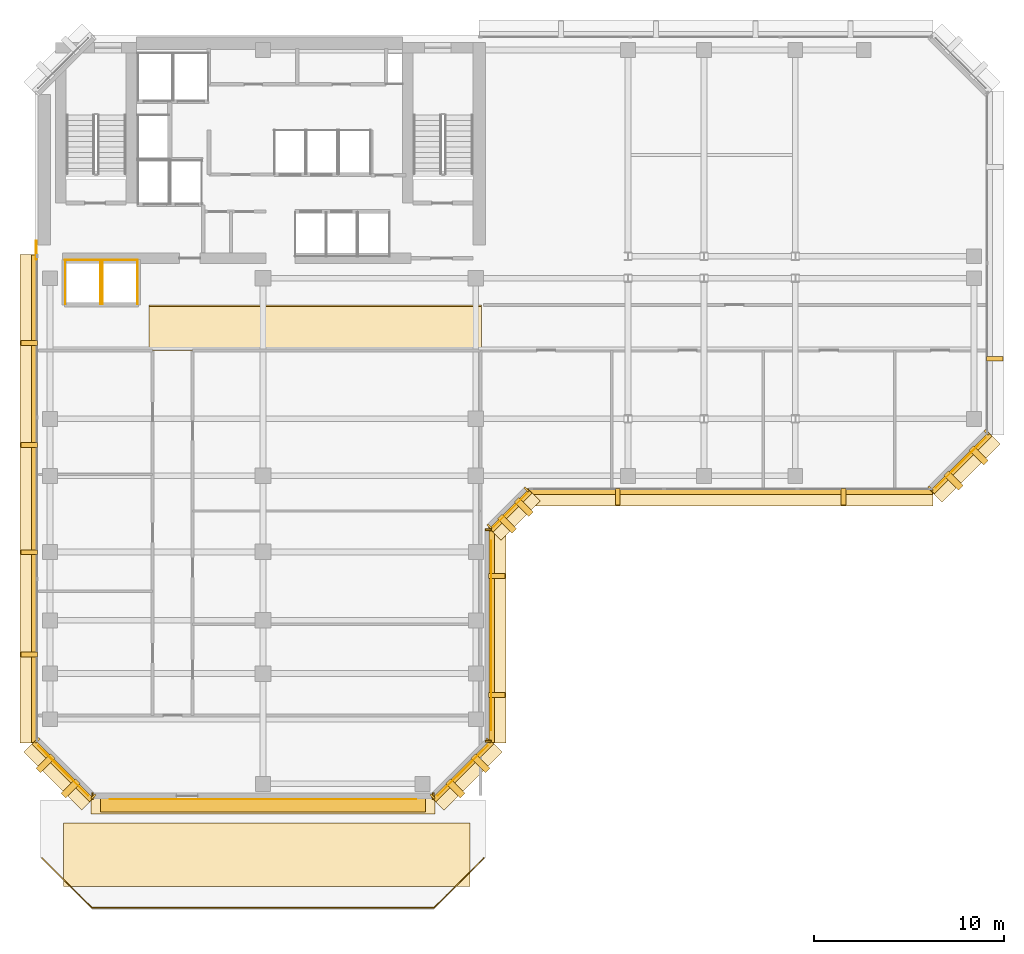
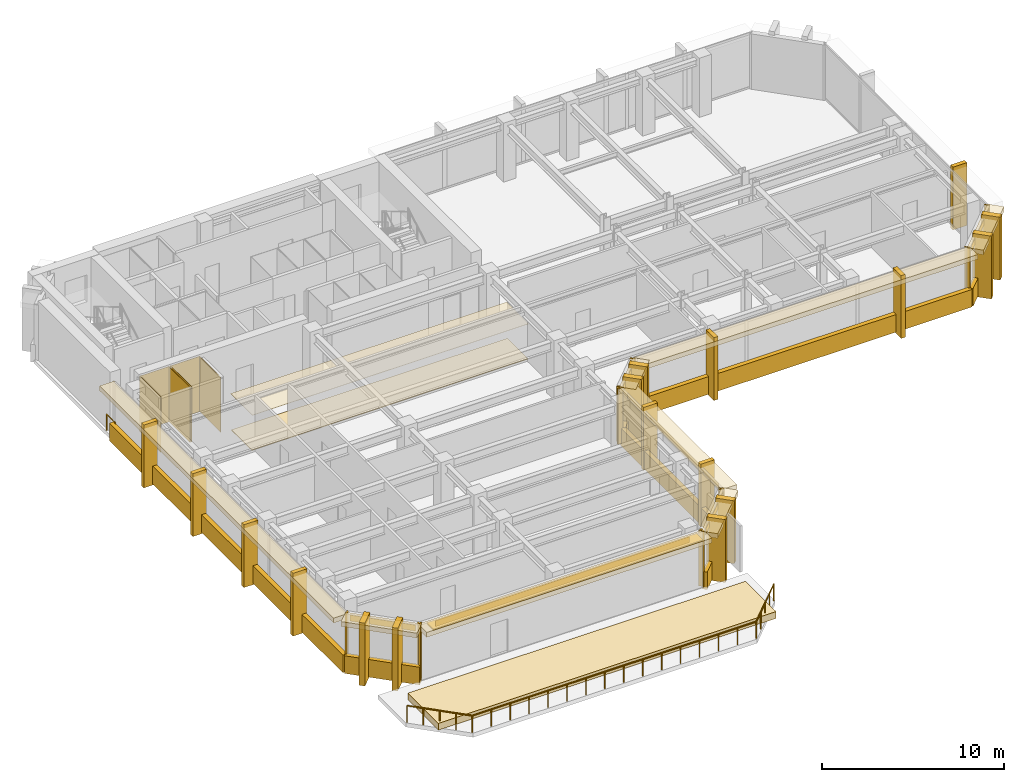
# One storey, part 9 of 11: 59 coverings, 2 railings, 1 shading device.
"""IFC4 building model written with IfcOpenShell, lengths in metres."""

from ifc_helpers import new_model, si_unit, direction, frame, origin, origin_2d, place, context, subcontext, project, spatial, polyline, rectangle, circle, outline, extrude, material, layer, layer_set, type_object, element, save


model = new_model("IFC4")

# Units and contexts
model_context = context("Model", 3, precision=1e-05, world=origin(), true_north=direction((0.0, 1.0)))
body_context = subcontext(model_context, "Body", "Model", "MODEL_VIEW")
ifc_project = project(units=[si_unit("LENGTHUNIT", "METRE"), si_unit("AREAUNIT", "SQUARE_METRE"), si_unit("VOLUMEUNIT", "CUBIC_METRE"), si_unit("PLANEANGLEUNIT", "RADIAN"), si_unit("MASSUNIT", "GRAM", prefix="KILO")], contexts=[model_context])

# Site, building, storey
site_placement = place(None, origin())
site = spatial("IfcSite", under=ifc_project, at=site_placement, CompositionType="ELEMENT")
building_placement = place(site_placement, origin())
building = spatial("IfcBuilding", under=site, at=building_placement, Name="Kefirva Bronze Tower", CompositionType="ELEMENT")
storey_placement = place(building_placement, frame((0.0, 0.0, 191.39990234375)))
storey = spatial("IfcBuildingStorey", under=building, at=storey_placement, Name="L46", CompositionType="ELEMENT", Elevation=191.39990234375)

# Coverings
ifc_material_1 = material(Name="Acoustic mineral tile")
ifc_layer_1 = layer(ifc_material_1, 0.02490234375, Name="Acoustic mineral tile")
ifc_layer_set_1 = layer_set([ifc_layer_1], Name="Acoustic mineral tile")
covering_type_1 = type_object("IfcCoveringType", Name="Acoustic Mineral Suspended Ceiling 25mm", PredefinedType="CEILING", material=ifc_layer_set_1)
covering_1_placement = place(storey_placement, frame((0.0, 0.0, 2.400146484375)))
element("IfcCovering", 1, at=covering_1_placement, inside=storey, type_object=covering_type_1, Name="L46 Corridor Acoustic Ceiling", PredefinedType="CEILING", context=body_context, shape_type="SweptSolid", body=[
    extrude(outline(polyline([(6.0, 29.39990234375), (23.5, 29.39990234375), (23.5, 31.800048828125), (6.0, 31.800048828125), (6.0, 29.39990234375)])), origin(), (0.0, 0.0, 1.0), 0.02490234375),
])
ifc_material_2 = material(Name="Bronze anodised aluminium", Category="aluminium")
ifc_layer_2 = layer(ifc_material_2, 0.02001953125, Name="Bronze anodised aluminium")
ifc_layer_set_2 = layer_set([ifc_layer_2], Name="Bronze anodised aluminium")
covering_type_2 = type_object("IfcCoveringType", Name="Anodised Bronze Spandrel Cladding 20mm", PredefinedType="CLADDING", material=ifc_layer_set_2)
covering_2_placement = place(storey_placement, frame((12.0, 5.7900390625, 3.2900390625), z_axis=(0.0, 0.0, 1.0), x_axis=(1.0, 0.0, 0.0)))
element("IfcCovering", 2, at=covering_2_placement, inside=storey, type_object=covering_type_2, Name="L46 Bronze Spandrel Cladding 1", PredefinedType="CLADDING", context=body_context, shape_type="SweptSolid", body=[
    extrude(rectangle(XDim=16.10107421875, YDim=0.02001953125, at=origin_2d()), origin(), (0.0, 0.0, 1.0), 0.39990234375),
])
for number, where, z_axis, x_axis, name in (
    (3, (3.034912109375, 5.9599609375, 0.0), (0.0, 0.0, 1.0), (1.0, 0.0, 0.0), "L46 Facade Joint Closure Panel 1S"),
    (4, (20.965087890625, 5.9599609375, 0.0), (0.0, 0.0, 1.0), (1.0, 0.0, 0.0), "L46 Facade Joint Closure Panel 1E"),
):
    element("IfcCovering", number, at=place(storey_placement, frame(where, z_axis=z_axis, x_axis=x_axis)), inside=storey, type_object=covering_type_2, Name=name, PredefinedType="CLADDING", context=body_context, shape_type="SweptSolid", body=[
        extrude(rectangle(XDim=0.10009765625, YDim=0.320068359375, at=origin_2d()), origin(), (0.0, 0.0, 1.0), 3.7099609375),
    ])
covering_3_placement = place(storey_placement, frame((22.507080078125, 7.29296875, 3.2900390625), z_axis=(0.0, 0.0, 1.0), x_axis=(0.707106781187, 0.707106781187, 0.0)))
element("IfcCovering", 5, at=covering_3_placement, inside=storey, type_object=covering_type_2, Name="L46 Bronze Spandrel Cladding 2", PredefinedType="CLADDING", context=body_context, shape_type="SweptSolid", body=[
    extrude(rectangle(XDim=3.719482421875, YDim=0.02001953125, at=origin_2d()), origin(), (0.0, 0.0, 1.0), 0.39990234375),
])
for number, where, z_axis, x_axis, name in (
    (6, (20.91162109375, 5.93798828125, 0.0), (0.0, 0.0, 1.0), (0.707106781187, 0.707106781187, 0.0), "L46 Facade Joint Closure Panel 2S"),
    (7, (23.862060546875, 8.88818359375, 0.0), (0.0, 0.0, 1.0), (0.707106781187, 0.707106781187, 0.0), "L46 Facade Joint Closure Panel 2E"),
):
    element("IfcCovering", number, at=place(storey_placement, frame(where, z_axis=z_axis, x_axis=x_axis)), inside=storey, type_object=covering_type_2, Name=name, PredefinedType="CLADDING", context=body_context, shape_type="SweptSolid", body=[
        extrude(rectangle(XDim=0.10009765625, YDim=0.320068359375, at=origin_2d()), origin(), (0.0, 0.0, 1.0), 3.7099609375),
    ])
covering_4_placement = place(storey_placement, frame((22.5283203125, 7.271728515625, -0.15966796875), z_axis=(0.0, 0.0, 1.0), x_axis=(0.707106781187, 0.707106781187, 0.0)))
element("IfcCovering", 8, at=covering_4_placement, inside=storey, type_object=covering_type_2, Name="L46 Streamline Horizontal Spandrel Band 1", PredefinedType="CLADDING", context=body_context, shape_type="SweptSolid", body=[
    extrude(rectangle(XDim=4.28271484375, YDim=0.280029296875, at=origin_2d()), origin(), (0.0, 0.0, 1.0), 1.179931640625),
])
covering_5_placement = place(storey_placement, frame((24.010009765625, 14.39990234375, 3.2900390625), z_axis=(0.0, 0.0, 1.0), x_axis=(0.0, 1.0, 0.0)))
element("IfcCovering", 9, at=covering_5_placement, inside=storey, type_object=covering_type_2, Name="L46 Bronze Spandrel Cladding 3", PredefinedType="CLADDING", context=body_context, shape_type="SweptSolid", body=[
    extrude(rectangle(XDim=9.98095703125, YDim=0.02001953125, at=origin_2d()), origin(), (0.0, 0.0, 1.0), 0.39990234375),
])
for number, where, z_axis, x_axis, name in (
    (10, (23.840087890625, 8.8349609375, 0.0), (0.0, 0.0, 1.0), (0.0, 1.0, 0.0), "L46 Facade Joint Closure Panel 3S"),
    (11, (23.840087890625, 19.965087890625, 0.0), (0.0, 0.0, 1.0), (0.0, 1.0, 0.0), "L46 Facade Joint Closure Panel 3E"),
):
    element("IfcCovering", number, at=place(storey_placement, frame(where, z_axis=z_axis, x_axis=x_axis)), inside=storey, type_object=covering_type_2, Name=name, PredefinedType="CLADDING", context=body_context, shape_type="SweptSolid", body=[
        extrude(rectangle(XDim=0.10009765625, YDim=0.320068359375, at=origin_2d()), origin(), (0.0, 0.0, 1.0), 3.7099609375),
    ])
covering_6_placement = place(storey_placement, frame((24.0400390625, 14.39990234375, -0.15966796875), z_axis=(0.0, 0.0, 1.0), x_axis=(0.0, 1.0, 0.0)))
element("IfcCovering", 12, at=covering_6_placement, inside=storey, type_object=covering_type_2, Name="L46 Streamline Horizontal Spandrel Band 2", PredefinedType="CLADDING", context=body_context, shape_type="SweptSolid", body=[
    extrude(rectangle(XDim=11.239990234375, YDim=0.280029296875, at=origin_2d()), origin(), (0.0, 0.0, 1.0), 1.179931640625),
])
covering_7_placement = place(storey_placement, frame((25.007080078125, 20.992919921875, 3.2900390625), z_axis=(0.0, 0.0, 1.0), x_axis=(0.707106781187, 0.707106781187, 0.0)))
element("IfcCovering", 13, at=covering_7_placement, inside=storey, type_object=covering_type_2, Name="L46 Bronze Spandrel Cladding 4", PredefinedType="CLADDING", context=body_context, shape_type="SweptSolid", body=[
    extrude(rectangle(XDim=2.446533203125, YDim=0.02001953125, at=origin_2d()), origin(), (0.0, 0.0, 1.0), 0.39990234375),
])
for number, where, z_axis, x_axis, name in (
    (14, (23.91162109375, 20.137939453125, 0.0), (0.0, 0.0, 1.0), (0.707106781187, 0.707106781187, 0.0), "L46 Facade Joint Closure Panel 4S"),
    (15, (25.862060546875, 22.08837890625, 0.0), (0.0, 0.0, 1.0), (0.707106781187, 0.707106781187, 0.0), "L46 Facade Joint Closure Panel 4E"),
):
    element("IfcCovering", number, at=place(storey_placement, frame(where, z_axis=z_axis, x_axis=x_axis)), inside=storey, type_object=covering_type_2, Name=name, PredefinedType="CLADDING", context=body_context, shape_type="SweptSolid", body=[
        extrude(rectangle(XDim=0.10009765625, YDim=0.320068359375, at=origin_2d()), origin(), (0.0, 0.0, 1.0), 3.7099609375),
    ])
covering_8_placement = place(storey_placement, frame((25.0283203125, 20.9716796875, -0.15966796875), z_axis=(0.0, 0.0, 1.0), x_axis=(0.707106781187, 0.707106781187, 0.0)))
element("IfcCovering", 16, at=covering_8_placement, inside=storey, type_object=covering_type_2, Name="L46 Streamline Horizontal Spandrel Band 3", PredefinedType="CLADDING", context=body_context, shape_type="SweptSolid", body=[
    extrude(rectangle(XDim=2.868408203125, YDim=0.280029296875, at=origin_2d()), origin(), (0.0, 0.0, 1.0), 1.179931640625),
])
covering_9_placement = place(storey_placement, frame((36.60009765625, 21.9599609375, -0.15966796875), z_axis=(0.0, 0.0, 1.0), x_axis=(1.0, 0.0, 0.0)))
element("IfcCovering", 17, at=covering_9_placement, inside=storey, type_object=covering_type_2, Name="L46 Streamline Horizontal Spandrel Band 4", PredefinedType="CLADDING", context=body_context, shape_type="SweptSolid", body=[
    extrude(rectangle(XDim=21.239990234375, YDim=0.280029296875, at=origin_2d()), origin(), (0.0, 0.0, 1.0), 1.179931640625),
])
covering_10_placement = place(storey_placement, frame((48.70703125, 23.492919921875, 3.2900390625), z_axis=(0.0, 0.0, 1.0), x_axis=(0.707106781187, 0.707106781187, 0.0)))
element("IfcCovering", 18, at=covering_10_placement, inside=storey, type_object=covering_type_2, Name="L46 Bronze Spandrel Cladding 5", PredefinedType="CLADDING", context=body_context, shape_type="SweptSolid", body=[
    extrude(rectangle(XDim=3.719482421875, YDim=0.02001953125, at=origin_2d()), origin(), (0.0, 0.0, 1.0), 0.39990234375),
])
for number, where, z_axis, x_axis, name in (
    (19, (47.11181640625, 22.137939453125, 0.0), (0.0, 0.0, 1.0), (0.707106781187, 0.707106781187, 0.0), "L46 Facade Joint Closure Panel 5S"),
    (20, (50.06201171875, 25.08837890625, 0.0), (0.0, 0.0, 1.0), (0.707106781187, 0.707106781187, 0.0), "L46 Facade Joint Closure Panel 5E"),
):
    element("IfcCovering", number, at=place(storey_placement, frame(where, z_axis=z_axis, x_axis=x_axis)), inside=storey, type_object=covering_type_2, Name=name, PredefinedType="CLADDING", context=body_context, shape_type="SweptSolid", body=[
        extrude(rectangle(XDim=0.10009765625, YDim=0.320068359375, at=origin_2d()), origin(), (0.0, 0.0, 1.0), 3.7099609375),
    ])
covering_11_placement = place(storey_placement, frame((48.728271484375, 23.4716796875, -0.15966796875), z_axis=(0.0, 0.0, 1.0), x_axis=(0.707106781187, 0.707106781187, 0.0)))
element("IfcCovering", 21, at=covering_11_placement, inside=storey, type_object=covering_type_2, Name="L46 Streamline Horizontal Spandrel Band 5", PredefinedType="CLADDING", context=body_context, shape_type="SweptSolid", body=[
    extrude(rectangle(XDim=4.28271484375, YDim=0.280029296875, at=origin_2d()), origin(), (0.0, 0.0, 1.0), 1.179931640625),
])
covering_12_placement = place(storey_placement, frame((-0.0400390625, 21.597412109375, -0.15966796875), z_axis=(0.0, 0.0, 1.0), x_axis=(0.0, -1.0, 0.0)))
element("IfcCovering", 22, at=covering_12_placement, inside=storey, type_object=covering_type_2, Name="L46 Streamline Horizontal Spandrel Band 10", PredefinedType="CLADDING", context=body_context, shape_type="SweptSolid", body=[
    extrude(rectangle(XDim=25.635009765625, YDim=0.280029296875, at=origin_2d()), origin(), (0.0, 0.0, 1.0), 1.179931640625),
])
covering_13_placement = place(storey_placement, frame((1.492919921875, 7.29296875, 3.2900390625), z_axis=(0.0, 0.0, 1.0), x_axis=(0.707106781187, -0.707106781187, 0.0)))
element("IfcCovering", 23, at=covering_13_placement, inside=storey, type_object=covering_type_2, Name="L46 Bronze Spandrel Cladding 8", PredefinedType="CLADDING", context=body_context, shape_type="SweptSolid", body=[
    extrude(rectangle(XDim=3.719482421875, YDim=0.02001953125, at=origin_2d()), origin(), (0.0, 0.0, 1.0), 0.39990234375),
])
for number, where, z_axis, x_axis, name in (
    (24, (0.137939453125, 8.88818359375, 0.0), (0.0, 0.0, 1.0), (0.707106781187, -0.707106781187, 0.0), "L46 Facade Joint Closure Panel 8S"),
    (25, (3.08837890625, 5.93798828125, 0.0), (0.0, 0.0, 1.0), (0.707106781187, -0.707106781187, 0.0), "L46 Facade Joint Closure Panel 8E"),
):
    element("IfcCovering", number, at=place(storey_placement, frame(where, z_axis=z_axis, x_axis=x_axis)), inside=storey, type_object=covering_type_2, Name=name, PredefinedType="CLADDING", context=body_context, shape_type="SweptSolid", body=[
        extrude(rectangle(XDim=0.10009765625, YDim=0.320068359375, at=origin_2d()), origin(), (0.0, 0.0, 1.0), 3.7099609375),
    ])
covering_14_placement = place(storey_placement, frame((1.4716796875, 7.271728515625, -0.15966796875), z_axis=(0.0, 0.0, 1.0), x_axis=(0.707106781187, -0.707106781187, 0.0)))
element("IfcCovering", 26, at=covering_14_placement, inside=storey, type_object=covering_type_2, Name="L46 Streamline Horizontal Spandrel Band 11", PredefinedType="CLADDING", context=body_context, shape_type="SweptSolid", body=[
    extrude(rectangle(XDim=4.28271484375, YDim=0.280029296875, at=origin_2d()), origin(), (0.0, 0.0, 1.0), 1.179931640625),
])
covering_15_placement = place(storey_placement, origin())
element("IfcCovering", 27, at=covering_15_placement, inside=storey, type_object=covering_type_2, Name="L46 Lift OB1 Hoistway Liner N", PredefinedType="CLADDING", context=body_context, shape_type="SweptSolid", body=[
    extrude(outline(polyline([(1.580078125, 34.139892578125), (3.469970703125, 34.139892578125), (3.469970703125, 34.159912109375), (1.580078125, 34.159912109375), (1.580078125, 34.139892578125)])), origin(), (0.0, 0.0, 1.0), 3.710205078125),
])
covering_16_placement = place(storey_placement, origin())
element("IfcCovering", 28, at=covering_16_placement, inside=storey, type_object=covering_type_2, Name="L46 Lift OB1 Hoistway Liner W", PredefinedType="CLADDING", context=body_context, shape_type="SweptSolid", body=[
    extrude(outline(polyline([(1.590087890625, 31.830078125), (1.610107421875, 31.830078125), (1.610107421875, 34.169921875), (1.590087890625, 34.169921875), (1.590087890625, 31.830078125)])), origin(), (0.0, 0.0, 1.0), 3.710205078125),
])
covering_17_placement = place(storey_placement, origin())
element("IfcCovering", 29, at=covering_17_placement, inside=storey, type_object=covering_type_2, Name="L46 Lift OB1 Hoistway Liner E", PredefinedType="CLADDING", context=body_context, shape_type="SweptSolid", body=[
    extrude(outline(polyline([(3.43994140625, 31.830078125), (3.4599609375, 31.830078125), (3.4599609375, 34.169921875), (3.43994140625, 34.169921875), (3.43994140625, 31.830078125)])), origin(), (0.0, 0.0, 1.0), 3.710205078125),
])
covering_18_placement = place(storey_placement, origin())
element("IfcCovering", 30, at=covering_18_placement, inside=storey, type_object=covering_type_2, Name="L46 Lift OB2 Hoistway Liner N", PredefinedType="CLADDING", context=body_context, shape_type="SweptSolid", body=[
    extrude(outline(polyline([(3.530029296875, 34.139892578125), (5.419921875, 34.139892578125), (5.419921875, 34.159912109375), (3.530029296875, 34.159912109375), (3.530029296875, 34.139892578125)])), origin(), (0.0, 0.0, 1.0), 3.710205078125),
])
covering_19_placement = place(storey_placement, origin())
element("IfcCovering", 31, at=covering_19_placement, inside=storey, type_object=covering_type_2, Name="L46 Lift OB2 Hoistway Liner W", PredefinedType="CLADDING", context=body_context, shape_type="SweptSolid", body=[
    extrude(outline(polyline([(3.5400390625, 31.830078125), (3.56005859375, 31.830078125), (3.56005859375, 34.169921875), (3.5400390625, 34.169921875), (3.5400390625, 31.830078125)])), origin(), (0.0, 0.0, 1.0), 3.710205078125),
])
covering_20_placement = place(storey_placement, origin())
element("IfcCovering", 32, at=covering_20_placement, inside=storey, type_object=covering_type_2, Name="L46 Lift OB2 Hoistway Liner E", PredefinedType="CLADDING", context=body_context, shape_type="SweptSolid", body=[
    extrude(outline(polyline([(5.389892578125, 31.830078125), (5.409912109375, 31.830078125), (5.409912109375, 34.169921875), (5.389892578125, 34.169921875), (5.389892578125, 31.830078125)])), origin(), (0.0, 0.0, 1.0), 3.710205078125),
])

# Railing
railing_type_1 = type_object("IfcRailingType", Name="Exterior Ship-Deck Terrace Guardrail 1150mm", PredefinedType="GUARDRAIL", material=ifc_material_2)
railing_1_placement = place(storey_placement, frame((0.3798828125, 2.699951171875, 0.0)))
element("IfcRailing", 33, at=railing_1_placement, inside=storey, type_object=railing_type_1, Name="L46 Terrace Perimeter Guardrail", PredefinedType="GUARDRAIL", context=body_context, shape_type="SweptSolid", body=[
    extrude(circle(Radius=0.02392578125, at=origin_2d()), frame((0.0, 0.0, 1.1259765625), z_axis=(0.707139725803, -0.707073835035, 0.0), x_axis=(0.707073835035, 0.707139725803, 0.0)), (0.0, 0.0, 1.0), 3.705322265625),
    extrude(circle(Radius=0.02392578125, at=origin_2d()), frame((2.6201171875, -2.619873046875, 1.1259765625), z_axis=(1.0, 0.0, 0.0), x_axis=(0.0, 1.0, 0.0)), (0.0, 0.0, 1.0), 18.0),
    extrude(circle(Radius=0.02392578125, at=origin_2d()), frame((20.6201171875, -2.619873046875, 1.1259765625), z_axis=(0.707139725803, 0.707073835035, 0.0), x_axis=(-0.707073835035, 0.707139725803, 0.0)), (0.0, 0.0, 1.0), 3.705322265625),
    extrude(circle(Radius=0.02099609375, at=origin_2d()), origin(), (0.0, 0.0, 1.0), 1.101806640625),
    extrude(circle(Radius=0.02099609375, at=origin_2d()), frame((0.655029296875, -0.655029296875, 0.0)), (0.0, 0.0, 1.0), 1.101806640625),
    extrude(circle(Radius=0.02099609375, at=origin_2d()), frame((1.31005859375, -1.31005859375, 0.0)), (0.0, 0.0, 1.0), 1.101806640625),
    extrude(circle(Radius=0.02099609375, at=origin_2d()), frame((1.965087890625, -1.96484375, 0.0)), (0.0, 0.0, 1.0), 1.101806640625),
    extrude(circle(Radius=0.02099609375, at=origin_2d()), frame((2.6201171875, -2.619873046875, 0.0)), (0.0, 0.0, 1.0), 1.101806640625),
    extrude(circle(Radius=0.02099609375, at=origin_2d()), frame((3.820068359375, -2.619873046875, 0.0)), (0.0, 0.0, 1.0), 1.101806640625),
    extrude(circle(Radius=0.02099609375, at=origin_2d()), frame((5.02001953125, -2.619873046875, 0.0)), (0.0, 0.0, 1.0), 1.101806640625),
    extrude(circle(Radius=0.02099609375, at=origin_2d()), frame((6.22021484375, -2.619873046875, 0.0)), (0.0, 0.0, 1.0), 1.101806640625),
    extrude(circle(Radius=0.02099609375, at=origin_2d()), frame((7.420166015625, -2.619873046875, 0.0)), (0.0, 0.0, 1.0), 1.101806640625),
    extrude(circle(Radius=0.02099609375, at=origin_2d()), frame((8.6201171875, -2.619873046875, 0.0)), (0.0, 0.0, 1.0), 1.101806640625),
    extrude(circle(Radius=0.02099609375, at=origin_2d()), frame((9.820068359375, -2.619873046875, 0.0)), (0.0, 0.0, 1.0), 1.101806640625),
    extrude(circle(Radius=0.02099609375, at=origin_2d()), frame((11.02001953125, -2.619873046875, 0.0)), (0.0, 0.0, 1.0), 1.101806640625),
    extrude(circle(Radius=0.02099609375, at=origin_2d()), frame((12.22021484375, -2.619873046875, 0.0)), (0.0, 0.0, 1.0), 1.101806640625),
    extrude(circle(Radius=0.02099609375, at=origin_2d()), frame((13.420166015625, -2.619873046875, 0.0)), (0.0, 0.0, 1.0), 1.101806640625),
    extrude(circle(Radius=0.02099609375, at=origin_2d()), frame((14.6201171875, -2.619873046875, 0.0)), (0.0, 0.0, 1.0), 1.101806640625),
    extrude(circle(Radius=0.02099609375, at=origin_2d()), frame((15.820068359375, -2.619873046875, 0.0)), (0.0, 0.0, 1.0), 1.101806640625),
    extrude(circle(Radius=0.02099609375, at=origin_2d()), frame((17.02001953125, -2.619873046875, 0.0)), (0.0, 0.0, 1.0), 1.101806640625),
    extrude(circle(Radius=0.02099609375, at=origin_2d()), frame((18.22021484375, -2.619873046875, 0.0)), (0.0, 0.0, 1.0), 1.101806640625),
    extrude(circle(Radius=0.02099609375, at=origin_2d()), frame((19.420166015625, -2.619873046875, 0.0)), (0.0, 0.0, 1.0), 1.101806640625),
    extrude(circle(Radius=0.02099609375, at=origin_2d()), frame((20.6201171875, -2.619873046875, 0.0)), (0.0, 0.0, 1.0), 1.101806640625),
    extrude(circle(Radius=0.02099609375, at=origin_2d()), frame((21.275146484375, -1.96484375, 0.0)), (0.0, 0.0, 1.0), 1.101806640625),
    extrude(circle(Radius=0.02099609375, at=origin_2d()), frame((21.93017578125, -1.31005859375, 0.0)), (0.0, 0.0, 1.0), 1.101806640625),
    extrude(circle(Radius=0.02099609375, at=origin_2d()), frame((22.585205078125, -0.655029296875, 0.0)), (0.0, 0.0, 1.0), 1.101806640625),
    extrude(circle(Radius=0.02099609375, at=origin_2d()), frame((23.240234375, 0.0, 0.0)), (0.0, 0.0, 1.0), 1.101806640625),
])

# Shading device
ifc_layer_3 = layer(ifc_material_2, 0.090087890625, Name="Bronze anodised aluminium")
ifc_layer_set_3 = layer_set([ifc_layer_3], Name="Bronze anodised aluminium")
shading_device_type = type_object("IfcShadingDeviceType", Name="Horizontal Bronze Sunshade Band 750mm", PredefinedType="JALOUSIE", material=ifc_layer_set_3)
shading_device_placement = place(storey_placement, frame((12.0, 5.5048828125, 3.60498046875), z_axis=(0.0, 0.0, 1.0), x_axis=(1.0, 0.0, 0.0)))
element("IfcShadingDevice", 34, at=shading_device_placement, inside=storey, type_object=shading_device_type, Name="L46 Horizontal Bronze Sunshade Band 0", PredefinedType="JALOUSIE", context=body_context, shape_type="SweptSolid", body=[
    extrude(rectangle(XDim=17.090087890625, YDim=0.75, at=origin_2d()), origin(), (0.0, 0.0, 1.0), 0.090087890625),
])

# Railing
ifc_material_3 = material(Name="Stainless steel 316", Category="steel")
railing_type_2 = type_object("IfcRailingType", Name="Interior Stair Guardrail 1100mm", PredefinedType="GUARDRAIL", material=ifc_material_3)
railing_2_placement = place(storey_placement, frame((0.080078125, 34.199951171875, 0.0)))
element("IfcRailing", 35, at=railing_2_placement, inside=storey, type_object=railing_type_2, Name="L46 West Core Junction Guardrail", PredefinedType="GUARDRAIL", context=body_context, shape_type="SweptSolid", body=[
    extrude(circle(Radius=0.02392578125, at=origin_2d()), frame((0.0, 0.0, 1.076171875), z_axis=(0.0, 1.0, 0.0), x_axis=(-1.0, 0.0, 0.0)), (0.0, 0.0, 1.0), 0.949951171875),
    extrude(circle(Radius=0.02099609375, at=origin_2d()), origin(), (0.0, 0.0, 1.0), 1.052001953125),
    extrude(circle(Radius=0.02099609375, at=origin_2d()), frame((0.0, 0.949951171875, 0.0)), (0.0, 0.0, 1.0), 1.052001953125),
])

# Coverings
ifc_material_4 = material(Name="Calcium sulphate access tile")
ifc_layer_4 = layer(ifc_material_4, 0.044921875, Name="Calcium sulphate access tile")
ifc_layer_set_4 = layer_set([ifc_layer_4], Name="Calcium sulphate access tile")
covering_type_3 = type_object("IfcCoveringType", Name="Raised Access Office Flooring 45mm", PredefinedType="FLOORING", material=ifc_layer_set_4)
covering_21_placement = place(storey_placement, origin())
element("IfcCovering", 36, at=covering_21_placement, inside=storey, type_object=covering_type_3, Name="L46 Architectural Finish Flooring", PredefinedType="FLOORING", context=body_context, shape_type="SweptSolid", body=[
    extrude(outline(polyline([(6.0, 29.47998046875), (23.5, 29.47998046875), (23.5, 31.719970703125), (6.0, 31.719970703125), (6.0, 29.47998046875)])), origin(), (0.0, 0.0, 1.0), 0.045166015625),
])
ifc_material_5 = material(Name="Planted sky-garden soil substrate")
ifc_layer_5 = layer(ifc_material_5, 0.449951171875, Name="Planted sky-garden soil substrate")
ifc_layer_set_5 = layer_set([ifc_layer_5], Name="Planted sky-garden soil substrate")
covering_type_4 = type_object("IfcCoveringType", Name="Sky-Garden Planted Substrate Bed 450mm", PredefinedType="USERDEFINED", material=ifc_layer_set_5)
covering_22_placement = place(storey_placement, origin())
element("IfcCovering", 37, at=covering_22_placement, inside=storey, type_object=covering_type_4, Name="L46 Sky-Garden Planter Bed", ObjectType="PLANTER", PredefinedType="USERDEFINED", context=body_context, shape_type="SweptSolid", body=[
    extrude(outline(polyline([(1.5, 1.199951171875), (22.89990234375, 1.199951171875), (22.89990234375, 4.550048828125), (1.5, 4.550048828125), (1.5, 1.199951171875)])), origin(), (0.0, 0.0, 1.0), 0.4501953125),
])
ifc_layer_6 = layer(ifc_material_2, 0.179931640625, Name="Bronze anodised aluminium")
ifc_layer_set_6 = layer_set([ifc_layer_6], Name="Bronze anodised aluminium")
covering_type_5 = type_object("IfcCoveringType", Name="Streamline Bronze Sunshade Eyebrow Cladding 180mm", PredefinedType="CLADDING", material=ifc_layer_set_6)
covering_23_placement = place(storey_placement, frame((12.0, 5.489990234375, 3.39013671875), z_axis=(0.0, 0.0, 1.0), x_axis=(1.0, 0.0, 0.0)))
element("IfcCovering", 38, at=covering_23_placement, inside=storey, type_object=covering_type_5, Name="L46 Streamline Bronze Sunshade Eyebrow 0", PredefinedType="CLADDING", context=body_context, shape_type="SweptSolid", body=[
    extrude(rectangle(XDim=18.080078125, YDim=0.93994140625, at=origin_2d()), origin(), (0.0, 0.0, 1.0), 0.320068359375),
])
covering_24_placement = place(storey_placement, frame((22.71923828125, 7.080810546875, 3.39013671875), z_axis=(0.0, 0.0, 1.0), x_axis=(0.707106781187, 0.707106781187, 0.0)))
element("IfcCovering", 39, at=covering_24_placement, inside=storey, type_object=covering_type_5, Name="L46 Streamline Bronze Sunshade Eyebrow 1", PredefinedType="CLADDING", context=body_context, shape_type="SweptSolid", body=[
    extrude(rectangle(XDim=4.322509765625, YDim=0.93994140625, at=origin_2d()), origin(), (0.0, 0.0, 1.0), 0.320068359375),
])
covering_25_placement = place(storey_placement, frame((24.31005859375, 14.39990234375, 3.39013671875), z_axis=(0.0, 0.0, 1.0), x_axis=(0.0, 1.0, 0.0)))
element("IfcCovering", 40, at=covering_25_placement, inside=storey, type_object=covering_type_5, Name="L46 Streamline Bronze Sunshade Eyebrow 2", PredefinedType="CLADDING", context=body_context, shape_type="SweptSolid", body=[
    extrude(rectangle(XDim=11.280029296875, YDim=0.93994140625, at=origin_2d()), origin(), (0.0, 0.0, 1.0), 0.320068359375),
])
covering_26_placement = place(storey_placement, frame((25.21923828125, 20.78076171875, 3.39013671875), z_axis=(0.0, 0.0, 1.0), x_axis=(0.707106781187, 0.707106781187, 0.0)))
element("IfcCovering", 41, at=covering_26_placement, inside=storey, type_object=covering_type_5, Name="L46 Streamline Bronze Sunshade Eyebrow 3", PredefinedType="CLADDING", context=body_context, shape_type="SweptSolid", body=[
    extrude(rectangle(XDim=2.908447265625, YDim=0.93994140625, at=origin_2d()), origin(), (0.0, 0.0, 1.0), 0.320068359375),
])
covering_27_placement = place(storey_placement, frame((36.60009765625, 21.68994140625, 3.39013671875), z_axis=(0.0, 0.0, 1.0), x_axis=(1.0, 0.0, 0.0)))
element("IfcCovering", 42, at=covering_27_placement, inside=storey, type_object=covering_type_5, Name="L46 Streamline Bronze Sunshade Eyebrow 4", PredefinedType="CLADDING", context=body_context, shape_type="SweptSolid", body=[
    extrude(rectangle(XDim=21.280029296875, YDim=0.93994140625, at=origin_2d()), origin(), (0.0, 0.0, 1.0), 0.320068359375),
])
covering_28_placement = place(storey_placement, frame((48.919189453125, 23.28076171875, 3.39013671875), z_axis=(0.0, 0.0, 1.0), x_axis=(0.707106781187, 0.707106781187, 0.0)))
element("IfcCovering", 43, at=covering_28_placement, inside=storey, type_object=covering_type_5, Name="L46 Streamline Bronze Sunshade Eyebrow 5", PredefinedType="CLADDING", context=body_context, shape_type="SweptSolid", body=[
    extrude(rectangle(XDim=4.322509765625, YDim=0.93994140625, at=origin_2d()), origin(), (0.0, 0.0, 1.0), 0.320068359375),
])
covering_29_placement = place(storey_placement, frame((-0.31005859375, 21.597412109375, 3.39013671875), z_axis=(0.0, 0.0, 1.0), x_axis=(0.0, -1.0, 0.0)))
element("IfcCovering", 44, at=covering_29_placement, inside=storey, type_object=covering_type_5, Name="L46 Streamline Bronze Sunshade Eyebrow 10", PredefinedType="CLADDING", context=body_context, shape_type="SweptSolid", body=[
    extrude(rectangle(XDim=25.675048828125, YDim=0.93994140625, at=origin_2d()), origin(), (0.0, 0.0, 1.0), 0.320068359375),
])
covering_30_placement = place(storey_placement, frame((1.28076171875, 7.080810546875, 3.39013671875), z_axis=(0.0, 0.0, 1.0), x_axis=(0.707106781187, -0.707106781187, 0.0)))
element("IfcCovering", 45, at=covering_30_placement, inside=storey, type_object=covering_type_5, Name="L46 Streamline Bronze Sunshade Eyebrow 11", PredefinedType="CLADDING", context=body_context, shape_type="SweptSolid", body=[
    extrude(rectangle(XDim=4.322509765625, YDim=0.93994140625, at=origin_2d()), origin(), (0.0, 0.0, 1.0), 0.320068359375),
])
ifc_layer_7 = layer(ifc_material_2, 0.260009765625, Name="Bronze anodised aluminium")
ifc_layer_set_7 = layer_set([ifc_layer_7], Name="Bronze anodised aluminium")
covering_type_6 = type_object("IfcCoveringType", Name="Unbroken Bronze Buttress Fin Cladding 260mm", PredefinedType="CLADDING", material=ifc_layer_set_7)
for number, where, z_axis, x_axis, name in (
    (46, (22.122802734375, 6.357177734375, -0.25), (0.0, 0.0, 1.0), (0.707106781187, 0.707106781187, 0.0), "L46 Chamfered Corner Buttress Fin Cladding 1"),
    (47, (23.44287109375, 7.67724609375, -0.25), (0.0, 0.0, 1.0), (0.707106781187, 0.707106781187, 0.0), "L46 Chamfered Corner Buttress Fin Cladding 2"),
):
    element("IfcCovering", number, at=place(storey_placement, frame(where, z_axis=z_axis, x_axis=x_axis)), inside=storey, type_object=covering_type_6, Name=name, PredefinedType="CLADDING", context=body_context, shape_type="SweptSolid", body=[
        extrude(rectangle(XDim=0.340087890625, YDim=1.080078125, at=origin_2d()), origin(), (0.0, 0.0, 1.0), 4.2099609375),
    ])
for number, where, z_axis, x_axis, name in (
    (48, (24.300048828125, 11.263916015625, -0.25), (0.0, 0.0, 1.0), (0.0, 1.0, 0.0), "L46 Unbroken Vertical Bronze Rib Fin 3"),
    (49, (24.300048828125, 17.535888671875, -0.25), (0.0, 0.0, 1.0), (0.0, 1.0, 0.0), "L46 Unbroken Vertical Bronze Rib Fin 4"),
):
    element("IfcCovering", number, at=place(storey_placement, frame(where, z_axis=z_axis, x_axis=x_axis)), inside=storey, type_object=covering_type_6, Name=name, PredefinedType="CLADDING", context=body_context, shape_type="SweptSolid", body=[
        extrude(rectangle(XDim=0.260009765625, YDim=0.8798828125, at=origin_2d()), origin(), (0.0, 0.0, 1.0), 4.2099609375),
    ])
for number, where, z_axis, x_axis, name in (
    (50, (24.8427734375, 20.277099609375, -0.25), (0.0, 0.0, 1.0), (0.707106781187, 0.707106781187, 0.0), "L46 Chamfered Corner Buttress Fin Cladding 5"),
    (51, (25.722900390625, 21.1572265625, -0.25), (0.0, 0.0, 1.0), (0.707106781187, 0.707106781187, 0.0), "L46 Chamfered Corner Buttress Fin Cladding 6"),
):
    element("IfcCovering", number, at=place(storey_placement, frame(where, z_axis=z_axis, x_axis=x_axis)), inside=storey, type_object=covering_type_6, Name=name, PredefinedType="CLADDING", context=body_context, shape_type="SweptSolid", body=[
        extrude(rectangle(XDim=0.340087890625, YDim=1.080078125, at=origin_2d()), origin(), (0.0, 0.0, 1.0), 4.2099609375),
    ])
for number, where, z_axis, x_axis, name in (
    (52, (30.6640625, 21.699951171875, -0.25), (0.0, 0.0, 1.0), (1.0, 0.0, 0.0), "L46 Unbroken Vertical Bronze Rib Fin 7"),
    (53, (42.535888671875, 21.699951171875, -0.25), (0.0, 0.0, 1.0), (1.0, 0.0, 0.0), "L46 Unbroken Vertical Bronze Rib Fin 8"),
):
    element("IfcCovering", number, at=place(storey_placement, frame(where, z_axis=z_axis, x_axis=x_axis)), inside=storey, type_object=covering_type_6, Name=name, PredefinedType="CLADDING", context=body_context, shape_type="SweptSolid", body=[
        extrude(rectangle(XDim=0.260009765625, YDim=0.8798828125, at=origin_2d()), origin(), (0.0, 0.0, 1.0), 4.2099609375),
    ])
for number, where, z_axis, x_axis, name in (
    (54, (48.32275390625, 22.55712890625, -0.25), (0.0, 0.0, 1.0), (0.707106781187, 0.707106781187, 0.0), "L46 Chamfered Corner Buttress Fin Cladding 9"),
    (55, (49.642822265625, 23.877197265625, -0.25), (0.0, 0.0, 1.0), (0.707106781187, 0.707106781187, 0.0), "L46 Chamfered Corner Buttress Fin Cladding 10"),
):
    element("IfcCovering", number, at=place(storey_placement, frame(where, z_axis=z_axis, x_axis=x_axis)), inside=storey, type_object=covering_type_6, Name=name, PredefinedType="CLADDING", context=body_context, shape_type="SweptSolid", body=[
        extrude(rectangle(XDim=0.340087890625, YDim=1.080078125, at=origin_2d()), origin(), (0.0, 0.0, 1.0), 4.2099609375),
    ])
for number, where, z_axis, x_axis, name in (
    (56, (50.5, 28.9599609375, -0.25), (0.0, 0.0, 1.0), (0.0, 1.0, 0.0), "L46 Unbroken Vertical Bronze Rib Fin 11"),
    (57, (-0.300048828125, 29.787841796875, -0.25), (0.0, 0.0, 1.0), (0.0, -1.0, 0.0), "L46 Unbroken Vertical Bronze Rib Fin 21"),
    (58, (-0.300048828125, 24.4130859375, -0.25), (0.0, 0.0, 1.0), (0.0, -1.0, 0.0), "L46 Unbroken Vertical Bronze Rib Fin 22"),
    (59, (-0.300048828125, 18.781982421875, -0.25), (0.0, 0.0, 1.0), (0.0, -1.0, 0.0), "L46 Unbroken Vertical Bronze Rib Fin 23"),
    (60, (-0.300048828125, 13.406982421875, -0.25), (0.0, 0.0, 1.0), (0.0, -1.0, 0.0), "L46 Unbroken Vertical Bronze Rib Fin 24"),
):
    element("IfcCovering", number, at=place(storey_placement, frame(where, z_axis=z_axis, x_axis=x_axis)), inside=storey, type_object=covering_type_6, Name=name, PredefinedType="CLADDING", context=body_context, shape_type="SweptSolid", body=[
        extrude(rectangle(XDim=0.260009765625, YDim=0.8798828125, at=origin_2d()), origin(), (0.0, 0.0, 1.0), 4.2099609375),
    ])
for number, where, z_axis, x_axis, name in (
    (61, (0.55712890625, 7.67724609375, -0.25), (0.0, 0.0, 1.0), (0.707106781187, -0.707106781187, 0.0), "L46 Chamfered Corner Buttress Fin Cladding 25"),
    (62, (1.877197265625, 6.357177734375, -0.25), (0.0, 0.0, 1.0), (0.707106781187, -0.707106781187, 0.0), "L46 Chamfered Corner Buttress Fin Cladding 26"),
):
    element("IfcCovering", number, at=place(storey_placement, frame(where, z_axis=z_axis, x_axis=x_axis)), inside=storey, type_object=covering_type_6, Name=name, PredefinedType="CLADDING", context=body_context, shape_type="SweptSolid", body=[
        extrude(rectangle(XDim=0.340087890625, YDim=1.080078125, at=origin_2d()), origin(), (0.0, 0.0, 1.0), 4.2099609375),
    ])

save(model, "model.ifc")
